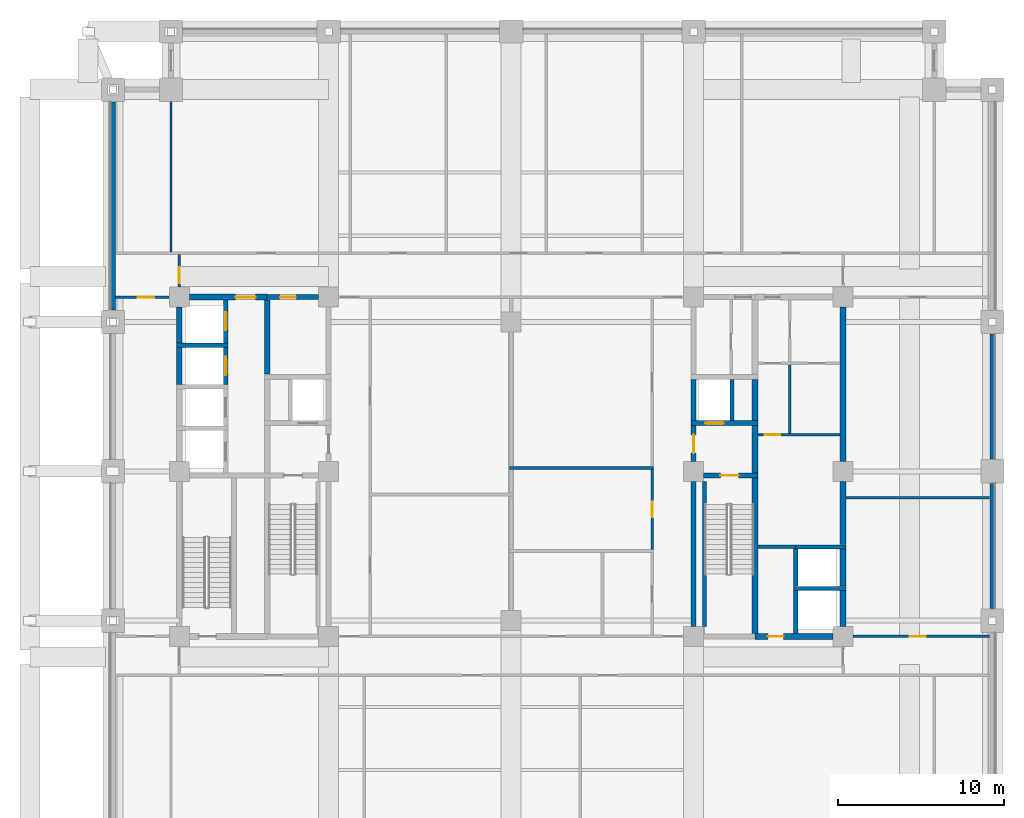
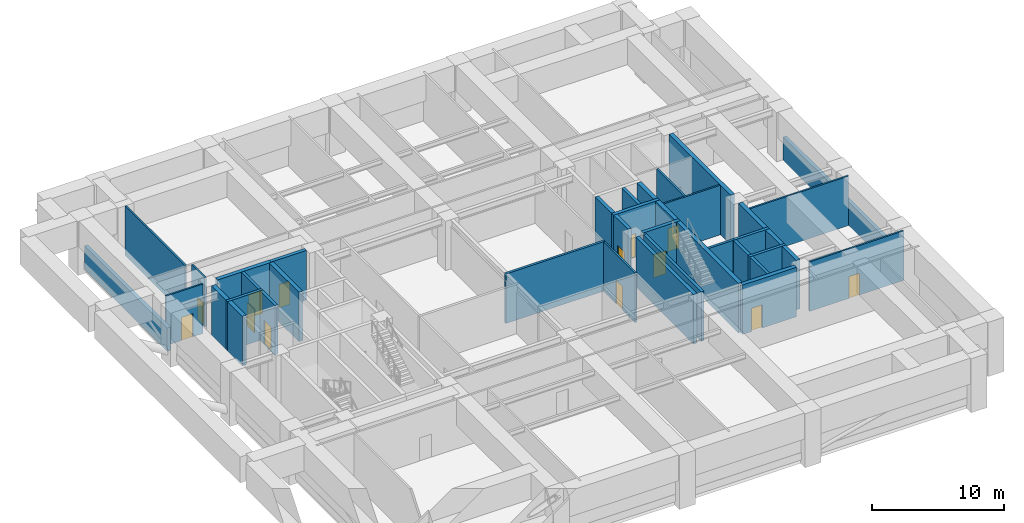
# One storey, part 4 of 11: 40 walls, 13 doors, 13 openings.
"""IFC4 building model written with IfcOpenShell, lengths in metres."""

from ifc_helpers import new_model, si_unit, direction, frame, frame_2d, origin, place, context, subcontext, project, spatial, rectangle, extrude, material, layer, layer_set, type_object, element, fill, save


model = new_model("IFC4")

# Units and contexts
model_context = context("Model", 3, precision=1e-05, world=origin(), true_north=direction((0.0, 1.0)))
body_context = subcontext(model_context, "Body", "Model", "MODEL_VIEW")
ifc_project = project(units=[si_unit("LENGTHUNIT", "METRE"), si_unit("AREAUNIT", "SQUARE_METRE"), si_unit("VOLUMEUNIT", "CUBIC_METRE"), si_unit("PLANEANGLEUNIT", "RADIAN"), si_unit("MASSUNIT", "GRAM", prefix="KILO")], contexts=[model_context])

# Site, building, storey
site_placement = place(None, origin())
site = spatial("IfcSite", under=ifc_project, at=site_placement, CompositionType="ELEMENT")
building_placement = place(site_placement, origin())
building = spatial("IfcBuilding", under=site, at=building_placement, Name="Zulmaris Gate Convention Tower", CompositionType="ELEMENT")
storey_placement = place(building_placement, frame((0.0, 0.0, 52.18994140625)))
storey = spatial("IfcBuildingStorey", under=building, at=storey_placement, Name="L12", CompositionType="ELEMENT", Elevation=52.18994140625)

# Walls
ifc_material_1 = material(Name="Concrete C50/60", Category="concrete")
ifc_layer_1 = layer(ifc_material_1, 0.25, Name="Concrete C50/60")
ifc_layer_set_1 = layer_set([ifc_layer_1], Name="Concrete C50/60")
wall_type_1 = type_object("IfcWallType", Name="CORE-250", PredefinedType="SOLIDWALL", material=ifc_layer_set_1)
for number, where, z_axis, x_axis, name in (
    (1, (17.02490234375, -7.050048828125, 0.0), (0.0, 0.0, 1.0), (1.0, 0.0, 0.0), "WL-L12-005"),
    (2, (17.02490234375, -4.550048828125, 0.0), (0.0, 0.0, 1.0), (1.0, 0.0, 0.0), "WL-L12-006"),
):
    element("IfcWall", number, at=place(storey_placement, frame(where, z_axis=z_axis, x_axis=x_axis)), inside=storey, type_object=wall_type_1, Name=name, PredefinedType="SOLIDWALL", context=body_context, shape_type="SweptSolid", body=[
        extrude(rectangle(XDim=3.150146484375, YDim=0.25, at=frame_2d((1.5751953125, 0.0))), origin(), (0.0, 0.0, 1.0), 4.574951171875),
    ])
wall_1_placement = place(storey_placement, frame((-20.175048828125, 7.60009765625, 0.0), z_axis=(0.0, 0.0, 1.0), x_axis=(1.0, 0.0, 0.0)))
element("IfcWall", 3, at=wall_1_placement, inside=storey, type_object=wall_type_1, Name="WL-L12-015", PredefinedType="SOLIDWALL", context=body_context, shape_type="SweptSolid", body=[
    extrude(rectangle(XDim=3.10009765625, YDim=0.25, at=frame_2d((1.550048828125, 0.0))), origin(), (0.0, 0.0, 1.0), 4.574951171875),
])

# Wall, opening, door
wall_2_placement = place(storey_placement, frame((-17.199951171875, 5.22705078125, 0.0), z_axis=(0.0, 0.0, 1.0), x_axis=(0.0, 1.0, 0.0)))
wall_2 = element("IfcWall", 4, at=wall_2_placement, inside=storey, type_object=wall_type_1, Name="WL-L12-042", PredefinedType="SOLIDWALL", context=body_context, shape_type="SweptSolid", body=[
    extrude(rectangle(XDim=2.245849609375, YDim=0.25, at=frame_2d((1.123046875, 0.0))), origin(), (0.0, 0.0, 1.0), 4.574951171875),
])
opening_1_placement = place(wall_2_placement, frame((0.572998046875, 0.0, 0.0)))
opening_1 = element("IfcOpeningElement", 5, at=opening_1_placement, cuts=wall_2, Name="Opening D-06", PredefinedType="OPENING", context=body_context, shape_type="SweptSolid", body=[
    extrude(rectangle(XDim=1.10009765625, YDim=2.199951171875, at=frame_2d((0.550048828125, 1.10009765625))), frame((0.0, 0.135009765625, 0.0), z_axis=(0.0, -1.0, 0.0), x_axis=(1.0, 0.0, 0.0)), (0.0, 0.0, 1.0), 0.27001953125),
])
ifc_material_2 = material(Name="Brushed Stainless Steel", Category="steel")
door_type_1 = type_object("IfcDoorType", Name="LD-1100", OperationType="NOTDEFINED", PredefinedType="DOOR", material=ifc_material_2)
door_1_placement = place(opening_1_placement, origin())
door_1 = element("IfcDoor", 6, at=door_1_placement, inside=storey, type_object=door_type_1, Name="L12 Lift Landing Door LP-03 14", OperationType="SLIDING_TO_LEFT", OverallHeight=2.199951171875, OverallWidth=1.10009765625, PredefinedType="DOOR", context=body_context, shape_type="SweptSolid", body=[
    extrude(rectangle(XDim=1.10009765625, YDim=2.199951171875, at=frame_2d((0.550048828125, 1.10009765625))), frame((0.0, 0.02490234375, 0.0), z_axis=(0.0, -1.0, 0.0), x_axis=(1.0, 0.0, 0.0)), (0.0, 0.0, 1.0), 0.050048828125),
])
fill(opening_1, door_1)

wall_3_placement = place(storey_placement, frame((-17.199951171875, 7.72705078125, 0.0), z_axis=(0.0, 0.0, 1.0), x_axis=(0.0, 1.0, 0.0)))
wall_3 = element("IfcWall", 7, at=wall_3_placement, inside=storey, type_object=wall_type_1, Name="WL-L12-043", PredefinedType="SOLIDWALL", context=body_context, shape_type="SweptSolid", body=[
    extrude(rectangle(XDim=2.595947265625, YDim=0.25, at=frame_2d((1.2978515625, 0.0))), origin(), (0.0, 0.0, 1.0), 4.574951171875),
])
opening_2_placement = place(wall_3_placement, frame((0.77294921875, 0.0, 0.0)))
opening_2 = element("IfcOpeningElement", 8, at=opening_2_placement, cuts=wall_3, Name="Opening D-06", PredefinedType="OPENING", context=body_context, shape_type="SweptSolid", body=[
    extrude(rectangle(XDim=1.10009765625, YDim=2.199951171875, at=frame_2d((0.550048828125, 1.10009765625))), frame((0.0, 0.135009765625, 0.0), z_axis=(0.0, -1.0, 0.0), x_axis=(1.0, 0.0, 0.0)), (0.0, 0.0, 1.0), 0.27001953125),
])
door_2_placement = place(opening_2_placement, origin())
door_2 = element("IfcDoor", 9, at=door_2_placement, inside=storey, type_object=door_type_1, Name="L12 Lift Landing Door LP-04 15", OperationType="SLIDING_TO_LEFT", OverallHeight=2.199951171875, OverallWidth=1.10009765625, PredefinedType="DOOR", context=body_context, shape_type="SweptSolid", body=[
    extrude(rectangle(XDim=1.10009765625, YDim=2.199951171875, at=frame_2d((0.550048828125, 1.10009765625))), frame((0.0, 0.02490234375, 0.0), z_axis=(0.0, -1.0, 0.0), x_axis=(1.0, 0.0, 0.0)), (0.0, 0.0, 1.0), 0.050048828125),
])
fill(opening_2, door_2)

# Walls
wall_4_placement = place(storey_placement, frame((11.64990234375, -9.345947265625, 0.0), z_axis=(0.0, 0.0, 1.0), x_axis=(0.0, 1.0, 0.0)))
element("IfcWall", 10, at=wall_4_placement, inside=storey, type_object=wall_type_1, Name="WL-L12-059", PredefinedType="SOLIDWALL", context=body_context, shape_type="SweptSolid", body=[
    extrude(rectangle(XDim=8.741943359375, YDim=0.25, at=frame_2d((4.37109375, 0.0))), origin(), (0.0, 0.0, 1.0), 4.574951171875),
])
wall_5_placement = place(storey_placement, frame((13.300048828125, 3.052001953125, 0.0), z_axis=(0.0, 0.0, 1.0), x_axis=(0.0, 1.0, 0.0)))
element("IfcWall", 11, at=wall_5_placement, inside=storey, type_object=wall_type_1, Name="WL-L12-060", PredefinedType="SOLIDWALL", context=body_context, shape_type="SweptSolid", body=[
    extrude(rectangle(XDim=2.49609375, YDim=0.25, at=frame_2d((1.248046875, 0.0))), origin(), (0.0, 0.0, 1.0), 4.574951171875),
])
wall_6_placement = place(storey_placement, frame((17.14990234375, -9.77294921875, 0.0), z_axis=(0.0, 0.0, 1.0), x_axis=(0.0, 1.0, 0.0)))
element("IfcWall", 12, at=wall_6_placement, inside=storey, type_object=wall_type_1, Name="WL-L12-065", PredefinedType="SOLIDWALL", context=body_context, shape_type="SweptSolid", body=[
    extrude(rectangle(XDim=2.595947265625, YDim=0.25, at=frame_2d((1.2978515625, 0.0))), origin(), (0.0, 0.0, 1.0), 4.574951171875),
])
wall_7_placement = place(storey_placement, frame((17.14990234375, -6.923095703125, 0.0), z_axis=(0.0, 0.0, 1.0), x_axis=(0.0, 1.0, 0.0)))
element("IfcWall", 13, at=wall_7_placement, inside=storey, type_object=wall_type_1, Name="WL-L12-066", PredefinedType="SOLIDWALL", context=body_context, shape_type="SweptSolid", body=[
    extrude(rectangle(XDim=2.24609375, YDim=0.25, at=frame_2d((1.123046875, 0.0))), origin(), (0.0, 0.0, 1.0), 4.574951171875),
])

# Wall, opening, door
ifc_layer_2 = layer(ifc_material_1, 0.300048828125, Name="Concrete C50/60")
ifc_layer_set_2 = layer_set([ifc_layer_2], Name="Concrete C50/60")
wall_type_2 = type_object("IfcWallType", Name="CORE-300", PredefinedType="SHEAR", material=ifc_layer_set_2)
wall_8_placement = place(storey_placement, frame((11.60400390625, -0.25, 0.0), z_axis=(0.0, 0.0, 1.0), x_axis=(1.0, 0.0, 0.0)))
wall_8 = element("IfcWall", 14, at=wall_8_placement, inside=storey, type_object=wall_type_2, Name="WL-L12-008", PredefinedType="SHEAR", context=body_context, shape_type="SweptSolid", body=[
    extrude(rectangle(XDim=3.27099609375, YDim=0.300048828125, at=frame_2d((1.635498046875, 0.0))), origin(), (0.0, 0.0, 1.0), 4.574951171875),
])
opening_3_placement = place(wall_8_placement, frame((0.99609375, 0.0, 0.0)))
opening_3 = element("IfcOpeningElement", 15, at=opening_3_placement, cuts=wall_8, Name="Opening D-08", PredefinedType="OPENING", context=body_context, shape_type="SweptSolid", body=[
    extrude(rectangle(XDim=1.10009765625, YDim=2.14990234375, at=frame_2d((0.550048828125, 1.074951171875))), frame((0.0, 0.16015625, 0.0), z_axis=(0.0, -1.0, 0.0), x_axis=(1.0, 0.0, 0.0)), (0.0, 0.0, 1.0), 0.320068359375),
])
ifc_material_3 = material(Name="Fire-Rated Steel", Category="steel")
door_type_2 = type_object("IfcDoorType", Name="DR-1100-FD", OperationType="NOTDEFINED", PredefinedType="DOOR", material=ifc_material_3)
door_3_placement = place(opening_3_placement, origin())
door_3 = element("IfcDoor", 16, at=door_3_placement, inside=storey, type_object=door_type_2, Name="L12 Exit Stair ST-2 Door 04", OperationType="SINGLE_SWING_LEFT", OverallHeight=2.14990234375, OverallWidth=1.10009765625, PredefinedType="DOOR", context=body_context, shape_type="SweptSolid", body=[
    extrude(rectangle(XDim=1.10009765625, YDim=2.14990234375, at=frame_2d((0.550048828125, 1.074951171875))), frame((0.0, 0.02490234375, 0.0), z_axis=(0.0, -1.0, 0.0), x_axis=(1.0, 0.0, 0.0)), (0.0, 0.0, 1.0), 0.050048828125),
])
fill(opening_3, door_3)

wall_9_placement = place(storey_placement, frame((10.85009765625, 2.89990234375, 0.0), z_axis=(0.0, 0.0, 1.0), x_axis=(1.0, 0.0, 0.0)))
wall_9 = element("IfcWall", 17, at=wall_9_placement, inside=storey, type_object=wall_type_2, Name="WL-L12-011", PredefinedType="SHEAR", context=body_context, shape_type="SweptSolid", body=[
    extrude(rectangle(XDim=4.02490234375, YDim=0.300048828125, at=frame_2d((2.012451171875, 0.0))), origin(), (0.0, 0.0, 1.0), 4.574951171875),
])
opening_4_placement = place(wall_9_placement, frame((0.85009765625, 0.0, 0.0)))
opening_4 = element("IfcOpeningElement", 18, at=opening_4_placement, cuts=wall_9, Name="Opening D-06", PredefinedType="OPENING", context=body_context, shape_type="SweptSolid", body=[
    extrude(rectangle(XDim=1.10009765625, YDim=2.199951171875, at=frame_2d((0.550048828125, 1.10009765625))), frame((0.0, 0.16015625, 0.0), z_axis=(0.0, -1.0, 0.0), x_axis=(1.0, 0.0, 0.0)), (0.0, 0.0, 1.0), 0.320068359375),
])
door_4_placement = place(opening_4_placement, origin())
door_4 = element("IfcDoor", 19, at=door_4_placement, inside=storey, type_object=door_type_1, Name="L12 Lift Landing Door LF-02 06", OperationType="SLIDING_TO_RIGHT", OverallHeight=2.199951171875, OverallWidth=1.10009765625, PredefinedType="DOOR", context=body_context, shape_type="SweptSolid", body=[
    extrude(rectangle(XDim=1.10009765625, YDim=2.199951171875, at=frame_2d((0.550048828125, 1.10009765625))), frame((0.0, 0.02490234375, 0.0), z_axis=(0.0, -1.0, 0.0), x_axis=(1.0, 0.0, 0.0)), (0.0, 0.0, 1.0), 0.050048828125),
])
fill(opening_4, door_4)

wall_10_placement = place(storey_placement, frame((-14.699951171875, 10.5, 0.0), z_axis=(0.0, 0.0, 1.0), x_axis=(1.0, 0.0, 0.0)))
wall_10 = element("IfcWall", 20, at=wall_10_placement, inside=storey, type_object=wall_type_2, Name="WL-L12-017", PredefinedType="SHEAR", context=body_context, shape_type="SweptSolid", body=[
    extrude(rectangle(XDim=3.095947265625, YDim=0.300048828125, at=frame_2d((1.5478515625, 0.0))), origin(), (0.0, 0.0, 1.0), 4.574951171875),
])
opening_5_placement = place(wall_10_placement, frame((0.77490234375, 0.0, 0.0)))
opening_5 = element("IfcOpeningElement", 21, at=opening_5_placement, cuts=wall_10, Name="Opening D-11", PredefinedType="OPENING", context=body_context, shape_type="SweptSolid", body=[
    extrude(rectangle(XDim=0.949951171875, YDim=2.14990234375, at=frame_2d((0.47509765625, 1.074951171875))), frame((0.0, 0.16015625, 0.0), z_axis=(0.0, -1.0, 0.0), x_axis=(1.0, 0.0, 0.0)), (0.0, 0.0, 1.0), 0.320068359375),
])
ifc_material_4 = material(Name="Fire-Rated Timber", Category="wood")
door_type_3 = type_object("IfcDoorType", Name="DR-950-FD", OperationType="NOTDEFINED", PredefinedType="DOOR", material=ifc_material_4)
door_5_placement = place(opening_5_placement, origin())
door_5 = element("IfcDoor", 22, at=door_5_placement, inside=storey, type_object=door_type_3, Name="L12 Core Archive Door 07", OperationType="SINGLE_SWING_LEFT", OverallHeight=2.14990234375, OverallWidth=0.949951171875, PredefinedType="DOOR", context=body_context, shape_type="SweptSolid", body=[
    extrude(rectangle(XDim=0.949951171875, YDim=2.14990234375, at=frame_2d((0.47509765625, 1.074951171875))), frame((0.0, 0.02490234375, 0.0), z_axis=(0.0, -1.0, 0.0), x_axis=(1.0, 0.0, 0.0)), (0.0, 0.0, 1.0), 0.050048828125),
])
fill(opening_5, door_5)

# Wall
wall_11_placement = place(storey_placement, frame((11.0, -9.345947265625, 0.0), z_axis=(0.0, 0.0, 1.0), x_axis=(0.0, 1.0, 0.0)))
element("IfcWall", 23, at=wall_11_placement, inside=storey, type_object=wall_type_2, Name="WL-L12-055", PredefinedType="SHEAR", context=body_context, shape_type="SweptSolid", body=[
    extrude(rectangle(XDim=8.741943359375, YDim=0.300048828125, at=frame_2d((4.37109375, 0.0))), origin(), (0.0, 0.0, 1.0), 4.574951171875),
])

# Wall, opening, door
wall_12_placement = place(storey_placement, frame((11.0, 0.60400390625, 0.0), z_axis=(0.0, 0.0, 1.0), x_axis=(0.0, 1.0, 0.0)))
wall_12 = element("IfcWall", 24, at=wall_12_placement, inside=storey, type_object=wall_type_2, Name="WL-L12-056", PredefinedType="SHEAR", context=body_context, shape_type="SweptSolid", body=[
    extrude(rectangle(XDim=2.14404296875, YDim=0.300048828125, at=frame_2d((1.072021484375, 0.0))), origin(), (0.0, 0.0, 1.0), 4.574951171875),
])
opening_6_placement = place(wall_12_placement, frame((0.49609375, 0.0, 0.0)))
opening_6 = element("IfcOpeningElement", 25, at=opening_6_placement, cuts=wall_12, Name="Opening D-08", PredefinedType="OPENING", context=body_context, shape_type="SweptSolid", body=[
    extrude(rectangle(XDim=1.10009765625, YDim=2.14990234375, at=frame_2d((0.550048828125, 1.074951171875))), frame((0.0, 0.16015625, 0.0), z_axis=(0.0, -1.0, 0.0), x_axis=(1.0, 0.0, 0.0)), (0.0, 0.0, 1.0), 0.320068359375),
])
door_6_placement = place(opening_6_placement, origin())
door_6 = element("IfcDoor", 26, at=door_6_placement, inside=storey, type_object=door_type_2, Name="L12 East Firefighting Lobby Door 05", OperationType="SINGLE_SWING_RIGHT", OverallHeight=2.14990234375, OverallWidth=1.10009765625, PredefinedType="DOOR", context=body_context, shape_type="SweptSolid", body=[
    extrude(rectangle(XDim=1.10009765625, YDim=2.14990234375, at=frame_2d((0.550048828125, 1.074951171875))), frame((0.0, 0.02490234375, 0.0), z_axis=(0.0, -1.0, 0.0), x_axis=(1.0, 0.0, 0.0)), (0.0, 0.0, 1.0), 0.050048828125),
])
fill(opening_6, door_6)

# Wall
wall_13_placement = place(storey_placement, frame((11.0, 3.052001953125, 0.0), z_axis=(0.0, 0.0, 1.0), x_axis=(0.0, 1.0, 0.0)))
element("IfcWall", 27, at=wall_13_placement, inside=storey, type_object=wall_type_2, Name="WL-L12-057", PredefinedType="SHEAR", context=body_context, shape_type="SweptSolid", body=[
    extrude(rectangle(XDim=2.49609375, YDim=0.300048828125, at=frame_2d((1.248046875, 0.0))), origin(), (0.0, 0.0, 1.0), 4.574951171875),
])

# Wall, opening, door
ifc_material_5 = material(Name="Concrete C55/67", Category="concrete")
ifc_layer_3 = layer(ifc_material_5, 0.35009765625, Name="Concrete C55/67")
ifc_layer_set_3 = layer_set([ifc_layer_3], Name="Concrete C55/67")
wall_type_3 = type_object("IfcWallType", Name="CORE-350", PredefinedType="SHEAR", material=ifc_layer_set_3)
wall_14_placement = place(storey_placement, frame((14.699951171875, -9.949951171875, 0.0), z_axis=(0.0, 0.0, 1.0), x_axis=(1.0, 0.0, 0.0)))
wall_14 = element("IfcWall", 28, at=wall_14_placement, inside=storey, type_object=wall_type_3, Name="WL-L12-004", PredefinedType="SHEAR", context=body_context, shape_type="SweptSolid", body=[
    extrude(rectangle(XDim=4.696044921875, YDim=0.35009765625, at=frame_2d((2.34814453125, 0.0))), origin(), (0.0, 0.0, 1.0), 4.574951171875),
])
opening_7_placement = place(wall_14_placement, frame((0.77490234375, 0.0, 0.0)))
opening_7 = element("IfcOpeningElement", 29, at=opening_7_placement, cuts=wall_14, Name="Opening D-11", PredefinedType="OPENING", context=body_context, shape_type="SweptSolid", body=[
    extrude(rectangle(XDim=0.949951171875, YDim=2.14990234375, at=frame_2d((0.47509765625, 1.074951171875))), frame((0.0, 0.18505859375, 0.0), z_axis=(0.0, -1.0, 0.0), x_axis=(1.0, 0.0, 0.0)), (0.0, 0.0, 1.0), 0.3701171875),
])
door_7_placement = place(opening_7_placement, origin())
door_7 = element("IfcDoor", 30, at=door_7_placement, inside=storey, type_object=door_type_3, Name="L12 East Cleaners Store Door 16", OperationType="SINGLE_SWING_RIGHT", OverallHeight=2.14990234375, OverallWidth=0.949951171875, PredefinedType="DOOR", context=body_context, shape_type="SweptSolid", body=[
    extrude(rectangle(XDim=0.949951171875, YDim=2.14990234375, at=frame_2d((0.47509765625, 1.074951171875))), frame((0.0, 0.02490234375, 0.0), z_axis=(0.0, -1.0, 0.0), x_axis=(1.0, 0.0, 0.0)), (0.0, 0.0, 1.0), 0.050048828125),
])
fill(opening_7, door_7)

wall_15_placement = place(storey_placement, frame((-19.39599609375, 10.5, 0.0), z_axis=(0.0, 0.0, 1.0), x_axis=(1.0, 0.0, 0.0)))
wall_15 = element("IfcWall", 31, at=wall_15_placement, inside=storey, type_object=wall_type_3, Name="WL-L12-016", PredefinedType="SHEAR", context=body_context, shape_type="SweptSolid", body=[
    extrude(rectangle(XDim=4.696044921875, YDim=0.35009765625, at=frame_2d((2.34814453125, 0.0))), origin(), (0.0, 0.0, 1.0), 4.574951171875),
])
opening_8_placement = place(wall_15_placement, frame((2.7958984375, 0.0, 0.0)))
opening_8 = element("IfcOpeningElement", 32, at=opening_8_placement, cuts=wall_15, Name="Opening D-13", PredefinedType="OPENING", context=body_context, shape_type="SweptSolid", body=[
    extrude(rectangle(XDim=1.199951171875, YDim=2.14990234375, at=frame_2d((0.60009765625, 1.074951171875))), frame((0.0, 0.18505859375, 0.0), z_axis=(0.0, -1.0, 0.0), x_axis=(1.0, 0.0, 0.0)), (0.0, 0.0, 1.0), 0.3701171875),
])
door_type_4 = type_object("IfcDoorType", Name="DR-1200-FD", OperationType="NOTDEFINED", PredefinedType="DOOR", material=ifc_material_3)
door_8_placement = place(opening_8_placement, origin())
door_8 = element("IfcDoor", 33, at=door_8_placement, inside=storey, type_object=door_type_4, Name="L12 Low-Rise Lift Lobby Door 11", OperationType="SINGLE_SWING_LEFT", OverallHeight=2.14990234375, OverallWidth=1.199951171875, PredefinedType="DOOR", context=body_context, shape_type="SweptSolid", body=[
    extrude(rectangle(XDim=1.199951171875, YDim=2.14990234375, at=frame_2d((0.60009765625, 1.074951171875))), frame((0.0, 0.02490234375, 0.0), z_axis=(0.0, -1.0, 0.0), x_axis=(1.0, 0.0, 0.0)), (0.0, 0.0, 1.0), 0.050048828125),
])
fill(opening_8, door_8)

# Walls
wall_16_placement = place(storey_placement, frame((-20.0, 5.22705078125, 0.0), z_axis=(0.0, 0.0, 1.0), x_axis=(0.0, 1.0, 0.0)))
element("IfcWall", 34, at=wall_16_placement, inside=storey, type_object=wall_type_3, Name="WL-L12-038", PredefinedType="SHEAR", context=body_context, shape_type="SweptSolid", body=[
    extrude(rectangle(XDim=2.245849609375, YDim=0.35009765625, at=frame_2d((1.123046875, 0.0))), origin(), (0.0, 0.0, 1.0), 4.574951171875),
])
wall_17_placement = place(storey_placement, frame((-20.0, 7.72705078125, 0.0), z_axis=(0.0, 0.0, 1.0), x_axis=(0.0, 1.0, 0.0)))
element("IfcWall", 35, at=wall_17_placement, inside=storey, type_object=wall_type_3, Name="WL-L12-039", PredefinedType="SHEAR", context=body_context, shape_type="SweptSolid", body=[
    extrude(rectangle(XDim=2.1689453125, YDim=0.35009765625, at=frame_2d((1.08447265625, 0.0))), origin(), (0.0, 0.0, 1.0), 4.574951171875),
])
wall_18_placement = place(storey_placement, frame((-14.699951171875, 5.85205078125, 0.0), z_axis=(0.0, 0.0, 1.0), x_axis=(0.0, 1.0, 0.0)))
element("IfcWall", 36, at=wall_18_placement, inside=storey, type_object=wall_type_3, Name="WL-L12-048", PredefinedType="SHEAR", context=body_context, shape_type="SweptSolid", body=[
    extrude(rectangle(XDim=4.470947265625, YDim=0.35009765625, at=frame_2d((2.2353515625, 0.0))), origin(), (0.0, 0.0, 1.0), 4.574951171875),
])
wall_19_placement = place(storey_placement, frame((14.699951171875, -9.77294921875, 0.0), z_axis=(0.0, 0.0, 1.0), x_axis=(0.0, 1.0, 0.0)))
element("IfcWall", 37, at=wall_19_placement, inside=storey, type_object=wall_type_3, Name="WL-L12-061", PredefinedType="SHEAR", context=body_context, shape_type="SweptSolid", body=[
    extrude(rectangle(XDim=9.370849609375, YDim=0.35009765625, at=frame_2d((4.685546875, 0.0))), origin(), (0.0, 0.0, 1.0), 4.574951171875),
])
wall_20_placement = place(storey_placement, frame((14.699951171875, -0.097900390625, 0.0), z_axis=(0.0, 0.0, 1.0), x_axis=(0.0, 1.0, 0.0)))
element("IfcWall", 38, at=wall_20_placement, inside=storey, type_object=wall_type_3, Name="WL-L12-062", PredefinedType="SHEAR", context=body_context, shape_type="SweptSolid", body=[
    extrude(rectangle(XDim=2.845947265625, YDim=0.35009765625, at=frame_2d((1.4228515625, 0.0))), origin(), (0.0, 0.0, 1.0), 4.574951171875),
])
wall_21_placement = place(storey_placement, frame((14.699951171875, 3.052001953125, 0.0), z_axis=(0.0, 0.0, 1.0), x_axis=(0.0, 1.0, 0.0)))
element("IfcWall", 39, at=wall_21_placement, inside=storey, type_object=wall_type_3, Name="WL-L12-063", PredefinedType="SHEAR", context=body_context, shape_type="SweptSolid", body=[
    extrude(rectangle(XDim=2.49609375, YDim=0.35009765625, at=frame_2d((1.248046875, 0.0))), origin(), (0.0, 0.0, 1.0), 4.574951171875),
])
wall_22_placement = place(storey_placement, frame((20.0, -9.345947265625, 0.0), z_axis=(0.0, 0.0, 1.0), x_axis=(0.0, 1.0, 0.0)))
element("IfcWall", 40, at=wall_22_placement, inside=storey, type_object=wall_type_3, Name="WL-L12-067", PredefinedType="SHEAR", context=body_context, shape_type="SweptSolid", body=[
    extrude(rectangle(XDim=2.1689453125, YDim=0.35009765625, at=frame_2d((1.08447265625, 0.0))), origin(), (0.0, 0.0, 1.0), 4.574951171875),
])
wall_23_placement = place(storey_placement, frame((20.0, -6.923095703125, 0.0), z_axis=(0.0, 0.0, 1.0), x_axis=(0.0, 1.0, 0.0)))
element("IfcWall", 41, at=wall_23_placement, inside=storey, type_object=wall_type_3, Name="WL-L12-068", PredefinedType="SHEAR", context=body_context, shape_type="SweptSolid", body=[
    extrude(rectangle(XDim=2.24609375, YDim=0.35009765625, at=frame_2d((1.123046875, 0.0))), origin(), (0.0, 0.0, 1.0), 4.574951171875),
])
wall_24_placement = place(storey_placement, frame((20.0, -4.423095703125, 0.0), z_axis=(0.0, 0.0, 1.0), x_axis=(0.0, 1.0, 0.0)))
element("IfcWall", 42, at=wall_24_placement, inside=storey, type_object=wall_type_3, Name="WL-L12-069", PredefinedType="SHEAR", context=body_context, shape_type="SweptSolid", body=[
    extrude(rectangle(XDim=3.819091796875, YDim=0.35009765625, at=frame_2d((1.90966796875, 0.0))), origin(), (0.0, 0.0, 1.0), 4.574951171875),
])
wall_25_placement = place(storey_placement, frame((20.0, 0.60400390625, 0.0), z_axis=(0.0, 0.0, 1.0), x_axis=(0.0, 1.0, 0.0)))
element("IfcWall", 43, at=wall_25_placement, inside=storey, type_object=wall_type_3, Name="WL-L12-069S1", PredefinedType="SHEAR", context=body_context, shape_type="SweptSolid", body=[
    extrude(rectangle(XDim=9.2919921875, YDim=0.35009765625, at=frame_2d((4.64599609375, 0.0))), origin(), (0.0, 0.0, 1.0), 4.574951171875),
])

# Wall, opening, door
ifc_material_6 = material(Name="Gypsum Metal Stud Partition")
ifc_layer_4 = layer(ifc_material_6, 0.14990234375, Name="Gypsum Metal Stud Partition")
ifc_layer_set_4 = layer_set([ifc_layer_4], Name="Gypsum Metal Stud Partition")
wall_type_4 = type_object("IfcWallType", Name="PART-150", PredefinedType="PARTITIONING", material=ifc_layer_set_4)
wall_26_placement = place(storey_placement, frame((20.60595703125, -9.949951171875, 0.0), z_axis=(0.0, 0.0, 1.0), x_axis=(1.0, 0.0, 0.0)))
wall_26 = element("IfcWall", 44, at=wall_26_placement, inside=storey, type_object=wall_type_4, Name="WL-L12-023", PredefinedType="PARTITIONING", context=body_context, shape_type="SweptSolid", body=[
    extrude(rectangle(XDim=8.22900390625, YDim=0.14990234375, at=frame_2d((4.114501953125, 0.0))), origin(), (0.0, 0.0, 1.0), 4.574951171875),
])
opening_9_placement = place(wall_26_placement, frame((3.4189453125, 0.0, 0.0)))
opening_9 = element("IfcOpeningElement", 45, at=opening_9_placement, cuts=wall_26, Name="Opening D-25", PredefinedType="OPENING", context=body_context, shape_type="SweptSolid", body=[
    extrude(rectangle(XDim=0.949951171875, YDim=2.02001953125, at=frame_2d((0.47509765625, 1.010009765625))), frame((0.0, 0.0849609375, 0.0), z_axis=(0.0, -1.0, 0.0), x_axis=(1.0, 0.0, 0.0)), (0.0, 0.0, 1.0), 0.169921875),
])
door_type_5 = type_object("IfcDoorType", Name="DR-950-LOW-FD", OperationType="NOTDEFINED", PredefinedType="DOOR", material=ifc_material_3)
door_9_placement = place(opening_9_placement, origin())
door_9 = element("IfcDoor", 46, at=door_9_placement, inside=storey, type_object=door_type_5, Name="L12 SE Partner Door 48", OperationType="SINGLE_SWING_RIGHT", OverallHeight=2.02001953125, OverallWidth=0.949951171875, PredefinedType="DOOR", context=body_context, shape_type="SweptSolid", body=[
    extrude(rectangle(XDim=0.949951171875, YDim=2.02001953125, at=frame_2d((0.47509765625, 1.010009765625))), frame((0.0, 0.02490234375, 0.0), z_axis=(0.0, -1.0, 0.0), x_axis=(1.0, 0.0, 0.0)), (0.0, 0.0, 1.0), 0.050048828125),
])
fill(opening_9, door_9)

# Wall
wall_27_placement = place(storey_placement, frame((20.177978515625, -1.60009765625, 0.0), z_axis=(0.0, 0.0, 1.0), x_axis=(1.0, 0.0, 0.0)))
element("IfcWall", 47, at=wall_27_placement, inside=storey, type_object=wall_type_4, Name="WL-L12-026", PredefinedType="PARTITIONING", context=body_context, shape_type="SweptSolid", body=[
    extrude(rectangle(XDim=8.656982421875, YDim=0.14990234375, at=frame_2d((4.32861328125, 0.0))), origin(), (0.0, 0.0, 1.0), 4.574951171875),
])

# Wall, opening, door
wall_28_placement = place(storey_placement, frame((14.8779296875, 2.199951171875, 0.0), z_axis=(0.0, 0.0, 1.0), x_axis=(1.0, 0.0, 0.0)))
wall_28 = element("IfcWall", 48, at=wall_28_placement, inside=storey, type_object=wall_type_4, Name="WL-L12-029", PredefinedType="PARTITIONING", context=body_context, shape_type="SweptSolid", body=[
    extrude(rectangle(XDim=4.944091796875, YDim=0.14990234375, at=frame_2d((2.47216796875, 0.0))), origin(), (0.0, 0.0, 1.0), 4.574951171875),
])
opening_10_placement = place(wall_28_placement, frame((0.39697265625, 0.0, 0.0)))
opening_10 = element("IfcOpeningElement", 49, at=opening_10_placement, cuts=wall_28, Name="Opening D-11", PredefinedType="OPENING", context=body_context, shape_type="SweptSolid", body=[
    extrude(rectangle(XDim=0.949951171875, YDim=2.14990234375, at=frame_2d((0.47509765625, 1.074951171875))), frame((0.0, 0.0849609375, 0.0), z_axis=(0.0, -1.0, 0.0), x_axis=(1.0, 0.0, 0.0)), (0.0, 0.0, 1.0), 0.169921875),
])
door_10_placement = place(opening_10_placement, origin())
door_10 = element("IfcDoor", 50, at=door_10_placement, inside=storey, type_object=door_type_3, Name="L12 East Switchroom Door 19", OperationType="SINGLE_SWING_LEFT", OverallHeight=2.14990234375, OverallWidth=0.949951171875, PredefinedType="DOOR", context=body_context, shape_type="SweptSolid", body=[
    extrude(rectangle(XDim=0.949951171875, YDim=2.14990234375, at=frame_2d((0.47509765625, 1.074951171875))), frame((0.0, 0.02490234375, 0.0), z_axis=(0.0, -1.0, 0.0), x_axis=(1.0, 0.0, 0.0)), (0.0, 0.0, 1.0), 0.050048828125),
])
fill(opening_10, door_10)

wall_29_placement = place(storey_placement, frame((-23.8349609375, 10.5, 0.0), z_axis=(0.0, 0.0, 1.0), x_axis=(1.0, 0.0, 0.0)))
wall_29 = element("IfcWall", 51, at=wall_29_placement, inside=storey, type_object=wall_type_4, Name="WL-L12-031", PredefinedType="PARTITIONING", context=body_context, shape_type="SweptSolid", body=[
    extrude(rectangle(XDim=3.22900390625, YDim=0.14990234375, at=frame_2d((1.614501953125, 0.0))), origin(), (0.0, 0.0, 1.0), 4.574951171875),
])
opening_11_placement = place(wall_29_placement, frame((1.3349609375, 0.0, 0.0)))
opening_11 = element("IfcOpeningElement", 52, at=opening_11_placement, cuts=wall_29, Name="Opening D-10", PredefinedType="OPENING", context=body_context, shape_type="SweptSolid", body=[
    extrude(rectangle(XDim=1.0, YDim=2.14990234375, at=frame_2d((0.5, 1.074951171875))), frame((0.0, 0.0849609375, 0.0), z_axis=(0.0, -1.0, 0.0), x_axis=(1.0, 0.0, 0.0)), (0.0, 0.0, 1.0), 0.169921875),
])
door_type_6 = type_object("IfcDoorType", Name="DR-1000-FD", OperationType="NOTDEFINED", PredefinedType="DOOR", material=ifc_material_4)
door_11_placement = place(opening_11_placement, origin())
door_11 = element("IfcDoor", 53, at=door_11_placement, inside=storey, type_object=door_type_6, Name="L12 West Workplace North Door 43", OperationType="SINGLE_SWING_LEFT", OverallHeight=2.14990234375, OverallWidth=1.0, PredefinedType="DOOR", context=body_context, shape_type="SweptSolid", body=[
    extrude(rectangle(XDim=1.0, YDim=2.14990234375, at=frame_2d((0.5, 1.074951171875))), frame((0.0, 0.02490234375, 0.0), z_axis=(0.0, -1.0, 0.0), x_axis=(1.0, 0.0, 0.0)), (0.0, 0.0, 1.0), 0.050048828125),
])
fill(opening_11, door_11)

# Wall
wall_30_placement = place(storey_placement, frame((-20.5, 13.22802734375, 0.0), z_axis=(0.0, 0.0, 1.0), x_axis=(0.0, 1.0, 0.0)))
element("IfcWall", 54, at=wall_30_placement, inside=storey, type_object=wall_type_4, Name="WL-L12-071", PredefinedType="PARTITIONING", context=body_context, shape_type="SweptSolid", body=[
    extrude(rectangle(XDim=9.06591796875, YDim=0.14990234375, at=frame_2d((4.532958984375, 0.0))), origin(), (0.0, 0.0, 1.0), 4.574951171875),
])

# Wall, opening, door
wall_31_placement = place(storey_placement, frame((-20.0, 11.10595703125, 0.0), z_axis=(0.0, 0.0, 1.0), x_axis=(0.0, 1.0, 0.0)))
wall_31 = element("IfcWall", 55, at=wall_31_placement, inside=storey, type_object=wall_type_4, Name="WL-L12-073", PredefinedType="PARTITIONING", context=body_context, shape_type="SweptSolid", body=[
    extrude(rectangle(XDim=1.966064453125, YDim=0.14990234375, at=frame_2d((0.98291015625, 0.0))), origin(), (0.0, 0.0, 1.0), 4.574951171875),
])
opening_12_placement = place(wall_31_placement, frame((0.239013671875, 0.0, 0.0)))
opening_12 = element("IfcOpeningElement", 56, at=opening_12_placement, cuts=wall_31, Name="Opening D-25", PredefinedType="OPENING", context=body_context, shape_type="SweptSolid", body=[
    extrude(rectangle(XDim=0.949951171875, YDim=2.02001953125, at=frame_2d((0.47509765625, 1.010009765625))), frame((0.0, 0.0849609375, 0.0), z_axis=(0.0, -1.0, 0.0), x_axis=(1.0, 0.0, 0.0)), (0.0, 0.0, 1.0), 0.169921875),
])
door_12_placement = place(opening_12_placement, origin())
door_12 = element("IfcDoor", 57, at=door_12_placement, inside=storey, type_object=door_type_5, Name="L12 NW Spur Door 41", OperationType="SINGLE_SWING_LEFT", OverallHeight=2.02001953125, OverallWidth=0.949951171875, PredefinedType="DOOR", context=body_context, shape_type="SweptSolid", body=[
    extrude(rectangle(XDim=0.949951171875, YDim=2.02001953125, at=frame_2d((0.47509765625, 1.010009765625))), frame((0.0, 0.02490234375, 0.0), z_axis=(0.0, -1.0, 0.0), x_axis=(1.0, 0.0, 0.0)), (0.0, 0.0, 1.0), 0.050048828125),
])
fill(opening_12, door_12)

wall_32_placement = place(storey_placement, frame((8.5, -4.697021484375, 0.0), z_axis=(0.0, 0.0, 1.0), x_axis=(0.0, 1.0, 0.0)))
wall_32 = element("IfcWall", 58, at=wall_32_placement, inside=storey, type_object=wall_type_4, Name="WL-L12-088", PredefinedType="PARTITIONING", context=body_context, shape_type="SweptSolid", body=[
    extrude(rectangle(XDim=4.7939453125, YDim=0.14990234375, at=frame_2d((2.39697265625, 0.0))), origin(), (0.0, 0.0, 1.0), 4.574951171875),
])
opening_13_placement = place(wall_32_placement, frame((1.922119140625, 0.0, 0.0)))
opening_13 = element("IfcOpeningElement", 59, at=opening_13_placement, cuts=wall_32, Name="Opening D-11", PredefinedType="OPENING", context=body_context, shape_type="SweptSolid", body=[
    extrude(rectangle(XDim=0.949951171875, YDim=2.14990234375, at=frame_2d((0.47509765625, 1.074951171875))), frame((0.0, 0.0849609375, 0.0), z_axis=(0.0, -1.0, 0.0), x_axis=(1.0, 0.0, 0.0)), (0.0, 0.0, 1.0), 0.169921875),
])
door_13_placement = place(opening_13_placement, origin())
door_13 = element("IfcDoor", 60, at=door_13_placement, inside=storey, type_object=door_type_3, Name="L12 Public WC Door 38", OperationType="SINGLE_SWING_RIGHT", OverallHeight=2.14990234375, OverallWidth=0.949951171875, PredefinedType="DOOR", context=body_context, shape_type="SweptSolid", body=[
    extrude(rectangle(XDim=0.949951171875, YDim=2.14990234375, at=frame_2d((0.47509765625, 1.074951171875))), frame((0.0, 0.02490234375, 0.0), z_axis=(0.0, -1.0, 0.0), x_axis=(1.0, 0.0, 0.0)), (0.0, 0.0, 1.0), 0.050048828125),
])
fill(opening_13, door_13)

# Walls
wall_33_placement = place(storey_placement, frame((16.800048828125, 2.278076171875, 0.0), z_axis=(0.0, 0.0, 1.0), x_axis=(0.0, 1.0, 0.0)))
element("IfcWall", 61, at=wall_33_placement, inside=storey, type_object=wall_type_4, Name="WL-L12-092", PredefinedType="PARTITIONING", context=body_context, shape_type="SweptSolid", body=[
    extrude(rectangle(XDim=4.14404296875, YDim=0.14990234375, at=frame_2d((2.072021484375, 0.0))), origin(), (0.0, 0.0, 1.0), 4.574951171875),
])
ifc_material_7 = material(Name="Autoclaved Aerated Concrete Block and Plasterboard", Category="concrete")
ifc_layer_5 = layer(ifc_material_7, 0.199951171875, Name="Autoclaved Aerated Concrete Block and Plasterboard")
ifc_layer_set_5 = layer_set([ifc_layer_5], Name="Autoclaved Aerated Concrete Block and Plasterboard")
wall_type_5 = type_object("IfcWallType", Name="PART-200", PredefinedType="PARTITIONING", material=ifc_layer_set_5)
wall_34_placement = place(storey_placement, frame((14.8779296875, -4.550048828125, 0.0), z_axis=(0.0, 0.0, 1.0), x_axis=(1.0, 0.0, 0.0)))
element("IfcWall", 62, at=wall_34_placement, inside=storey, type_object=wall_type_5, Name="WL-L12-025", PredefinedType="PARTITIONING", context=body_context, shape_type="SweptSolid", body=[
    extrude(rectangle(XDim=2.27197265625, YDim=0.199951171875, at=frame_2d((1.135986328125, 0.0))), origin(), (0.0, 0.0, 1.0), 4.574951171875),
])
wall_35_placement = place(storey_placement, frame((-0.10009765625, 0.199951171875, 0.0), z_axis=(0.0, 0.0, 1.0), x_axis=(1.0, 0.0, 0.0)))
element("IfcWall", 63, at=wall_35_placement, inside=storey, type_object=wall_type_5, Name="WL-L12-028", PredefinedType="PARTITIONING", context=body_context, shape_type="SweptSolid", body=[
    extrude(rectangle(XDim=8.675048828125, YDim=0.199951171875, at=frame_2d((4.33740234375, 0.0))), origin(), (0.0, 0.0, 1.0), 4.574951171875),
])
ifc_material_8 = material(Name="Precast concrete C40/50", Category="concrete")
ifc_layer_6 = layer(ifc_material_8, 0.300048828125, Name="Precast concrete C40/50")
ifc_layer_set_6 = layer_set([ifc_layer_6], Name="Precast concrete C40/50")
wall_type_6 = type_object("IfcWallType", Name="PRECAST-PIER-300", PredefinedType="STANDARD", material=ifc_layer_set_6)
for number, where, z_axis, x_axis, name in (
    (64, (29.0, -8.27001953125, 0.0), (0.0, 0.0, 1.0), (0.0, 1.0, 0.0), "EW-L12-E-1_0"),
    (65, (29.0, 0.72998046875, 0.0), (0.0, 0.0, 1.0), (0.0, 1.0, 0.0), "EW-L12-E-2_0"),
):
    element("IfcWall", number, at=place(storey_placement, frame(where, z_axis=z_axis, x_axis=x_axis)), inside=storey, type_object=wall_type_6, Name=name, PredefinedType="STANDARD", context=body_context, shape_type="SweptSolid", body=[
        extrude(rectangle(XDim=7.5400390625, YDim=0.300048828125, at=frame_2d((3.77001953125, 0.0))), origin(), (0.0, 0.0, 1.0), 2.1669921875),
    ])
wall_36_placement = place(storey_placement, frame((-24.0, 22.27001953125, 0.0), z_axis=(0.0, 0.0, 1.0), x_axis=(0.0, -1.0, 0.0)))
element("IfcWall", 66, at=wall_36_placement, inside=storey, type_object=wall_type_6, Name="EW-L12-W-3_0", PredefinedType="STANDARD", context=body_context, shape_type="SweptSolid", body=[
    extrude(rectangle(XDim=12.5400390625, YDim=0.300048828125, at=frame_2d((6.27001953125, 0.0))), origin(), (0.0, 0.0, 1.0), 2.1669921875),
])

save(model, "model.ifc")
